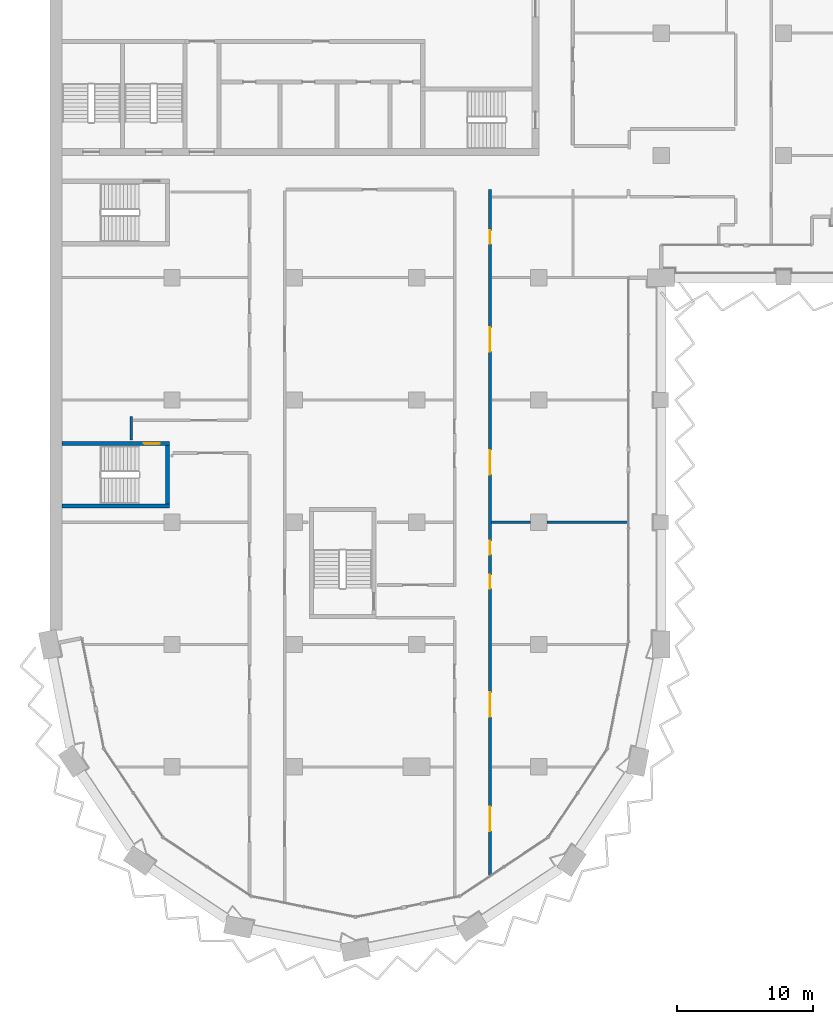
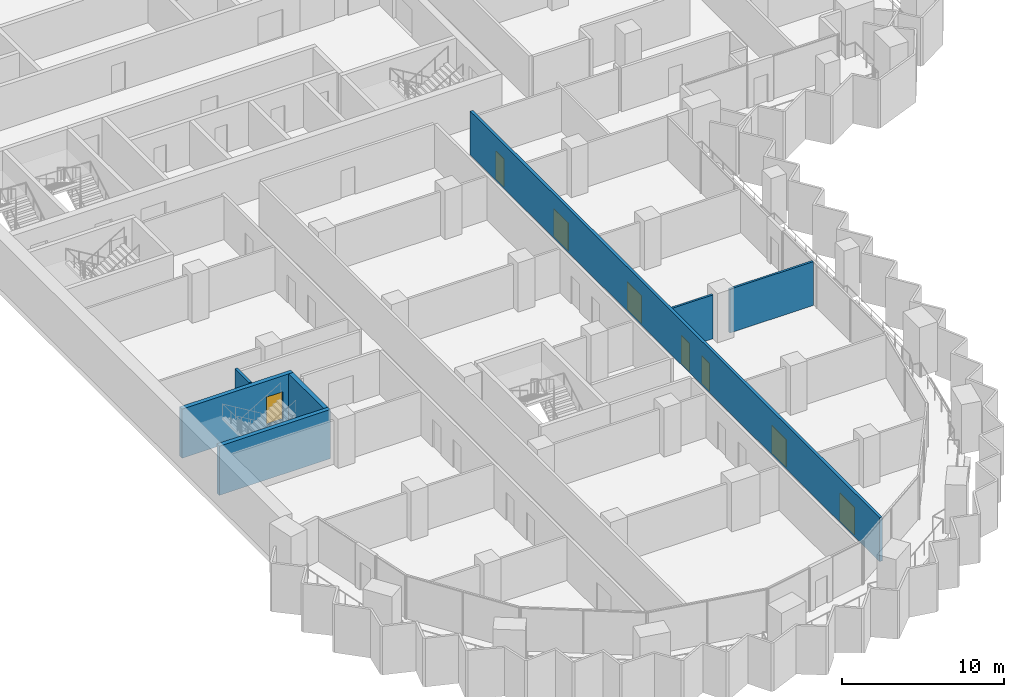
# One storey, part 9 of 22: 8 doors, 7 walls, 8 openings.
"""IFC4 building model written with IfcOpenShell, lengths in metres."""

import ifcopenshell
import ifcopenshell.guid

model = None  # the IFC model being written
_history = None  # IfcOwnerHistory: only IFC2X3 demands one
_inside = {}  # id of a spatial element -> (the spatial element, [elements in it])
_under = {}  # id of a project, library or spatial element -> (it, [spatial elements below it])
_declared = {}  # id of a project -> (the project, [libraries it declares])
_typed = {}  # id of a type object -> (the type object, [elements of that type])
_made_of = {}  # id of a material, layer set ... -> (it, [elements and type objects made of it])


def new_model(schema):
    """Start an empty IFC model of exactly this schema.

    Asked for "IFC4X3", IfcOpenShell would pick the latest addendum, in which some entities
    have other attributes; the version numbers below select the first issue.
    IFC2X3 requires an IfcOwnerHistory on every rooted entity: one is made here for all.
    """
    global model, _history
    if schema == "IFC4X3":
        model = ifcopenshell.file(schema_version=(4, 3, 0, 0))
    else:
        model = ifcopenshell.file(schema=schema)
    _inside.clear()
    _under.clear()
    _declared.clear()
    _typed.clear()
    _made_of.clear()
    _history = None
    if model.schema == "IFC2X3":
        org = make("IfcOrganization", Name="unknown")
        user = make(
            "IfcPersonAndOrganization",
            ThePerson=make("IfcPerson", FamilyName="unknown"),
            TheOrganization=org,
        )
        app = make(
            "IfcApplication",
            ApplicationDeveloper=org,
            Version="unknown",
            ApplicationFullName="unknown",
            ApplicationIdentifier="unknown",
        )
        _history = make(
            "IfcOwnerHistory",
            OwningUser=user,
            OwningApplication=app,
            ChangeAction="ADDED",
            CreationDate=0,
        )
    return model


def make(cls, **values):
    """One entity of the class cls with the attributes given. An attribute that is None is left unset."""
    return model.create_entity(
        cls, **{name: value for name, value in values.items() if value is not None}
    )


def rooted(cls, **values):
    """An entity with a GlobalId (a new one), such as an element, a storey or a relation."""
    return make(cls, GlobalId=ifcopenshell.guid.new(), OwnerHistory=_history, **values)


def si_unit(unit_type, name, prefix=None):
    """IfcSIUnit, for example si_unit("LENGTHUNIT", "METRE", prefix="MILLI")."""
    return make("IfcSIUnit", UnitType=unit_type, Prefix=prefix, Name=name)


def assignment(units):
    """IfcUnitAssignment: the units of a project."""
    return None if units is None else make("IfcUnitAssignment", Units=units)


def point(xyz):
    """IfcCartesianPoint."""
    return None if xyz is None else make("IfcCartesianPoint", Coordinates=xyz)


def direction(xyz):
    """IfcDirection."""
    return None if xyz is None else make("IfcDirection", DirectionRatios=xyz)


def frame(location, z_axis=None, x_axis=None):
    """IfcAxis2Placement3D, a coordinate frame: its origin and axes. An axis left out is left unset."""
    return make(
        "IfcAxis2Placement3D",
        Location=point(location),
        Axis=direction(z_axis),
        RefDirection=direction(x_axis),
    )


def frame_2d(location, x_axis=None):
    """IfcAxis2Placement2D, a coordinate frame in the plane: its origin and x axis."""
    return make(
        "IfcAxis2Placement2D", Location=point(location), RefDirection=direction(x_axis)
    )


def origin():
    """The frame at (0, 0, 0) with its axes left unset."""
    return frame((0.0, 0.0, 0.0))


def place(relative_to, where):
    """IfcLocalPlacement: puts the frame where relative to a parent placement (None: the world)."""
    return make(
        "IfcLocalPlacement", PlacementRelTo=relative_to, RelativePlacement=where
    )


def context(
    kind, dimensions, precision=None, world=None, true_north=None, identifier=None
):
    """IfcGeometricRepresentationContext, for example the 3D "Model" context."""
    return make(
        "IfcGeometricRepresentationContext",
        ContextIdentifier=identifier,
        ContextType=kind,
        CoordinateSpaceDimension=dimensions,
        Precision=precision,
        WorldCoordinateSystem=world,
        TrueNorth=true_north,
    )


def subcontext(parent, identifier, kind, view, scale=None):
    """IfcGeometricRepresentationSubContext, for example "Body" below "Model"."""
    return make(
        "IfcGeometricRepresentationSubContext",
        ContextIdentifier=identifier,
        ContextType=kind,
        ParentContext=parent,
        TargetScale=scale,
        TargetView=view,
    )


def project(units=None, contexts=None):
    """IfcProject with its units and contexts."""
    return rooted(
        "IfcProject",
        Name="project",
        RepresentationContexts=contexts,
        UnitsInContext=assignment(units),
    )


def spatial(cls, under=None, at=None, **own):
    """A site, building, storey or space (cls), placed at a placement, below another one or the project."""
    s = rooted(cls, ObjectPlacement=at, **own)
    if under is not None:
        _under.setdefault(under.id(), (under, []))[1].append(s)
    return s


def profile(cls, at=None, kind="AREA", **sizes):
    """A parametric profile (cls). Its sizes go by their IFC names, for example OverallWidth=200.0."""
    return make(cls, ProfileType=kind, Position=at, **sizes)


def rectangle(**sizes):
    """IfcRectangleProfileDef."""
    return profile("IfcRectangleProfileDef", **sizes)


def extrude(swept, where, along, depth):
    """IfcExtrudedAreaSolid: the profile swept, set in the frame where, extruded along a direction by depth."""
    return make(
        "IfcExtrudedAreaSolid",
        SweptArea=swept,
        Position=where,
        ExtrudedDirection=direction(along),
        Depth=depth,
    )


def shape(context_of_items, identifier, shape_type, items):
    """IfcShapeRepresentation: the items that make up one representation, for example the "Body"."""
    return make(
        "IfcShapeRepresentation",
        ContextOfItems=context_of_items,
        RepresentationIdentifier=identifier,
        RepresentationType=shape_type,
        Items=items,
    )


def material(Name=None, Category=None):
    """IfcMaterial."""
    return make("IfcMaterial", Name=Name, Category=Category)


def layer(
    of_material, thickness, ventilated=None, Name=None, Category=None, Priority=None
):
    """IfcMaterialLayer: one layer of a wall or slab, of a material (None: an air gap)."""
    return make(
        "IfcMaterialLayer",
        Material=of_material,
        LayerThickness=thickness,
        IsVentilated=ventilated,
        Name=Name,
        Category=Category,
        Priority=Priority,
    )


def layer_set(layers, Name=None):
    """IfcMaterialLayerSet."""
    return make("IfcMaterialLayerSet", MaterialLayers=layers, LayerSetName=Name)


def made_of(thing, what):
    """Note that an element or type object is made of a material, layer set ...; save() writes the relation."""
    if what is not None:
        _made_of.setdefault(what.id(), (what, []))[1].append(thing)
    return thing


def type_object(cls, material=None, **own):
    """A type object (cls), such as IfcWallType, which elements share."""
    return made_of(rooted(cls, **own), material)


def element(
    cls,
    number,
    at=None,
    inside=None,
    cuts=None,
    type_object=None,
    material=None,
    context=None,
    identifier="Body",
    shape_type=None,
    held_by="IfcProductDefinitionShape",
    body=None,
    shapes=None,
    **own,
):
    """One element of the class cls, such as IfcWall. Its Tag is "e" and its number.

    at: its placement. inside: the storey or other place that contains it. cuts: it is an
    opening in that element (IfcRelVoidsElement). A single representation is given by context,
    identifier, shape_type and body (its items); several are given by shapes. held_by: the class
    of the entity that holds the representations. save() writes the other relations.
    """
    e = rooted(cls, Tag="e%d" % number, ObjectPlacement=at, **own)
    if body is not None:
        shapes = [shape(context, identifier, shape_type, body)]
    if shapes is not None:
        e.Representation = make(held_by, Representations=shapes)
    if inside is not None:
        _inside.setdefault(inside.id(), (inside, []))[1].append(e)
    if cuts is not None:
        rooted(
            "IfcRelVoidsElement", RelatingBuildingElement=cuts, RelatedOpeningElement=e
        )
    if type_object is not None:
        _typed.setdefault(type_object.id(), (type_object, []))[1].append(e)
    return made_of(e, material)


def fill(opening, filler):
    """IfcRelFillsElement: the door or window that sits in an opening."""
    return rooted(
        "IfcRelFillsElement",
        RelatingOpeningElement=opening,
        RelatedBuildingElement=filler,
    )


def aggregate(whole, parts):
    """IfcRelAggregates: a whole, such as a stair, and the parts it consists of."""
    return rooted("IfcRelAggregates", RelatingObject=whole, RelatedObjects=parts)


def save(model, path):
    """Write the relations noted so far, then the file.

    IfcRelAggregates (storeys below a building ...), IfcRelContainedInSpatialStructure (elements
    in a storey), IfcRelDefinesByType, IfcRelAssociatesMaterial and IfcRelDeclares: one each for
    every whole, place, type object, material and project.
    """
    for whole, parts in _under.values():
        aggregate(whole, parts)
    for where, things in _inside.values():
        rooted(
            "IfcRelContainedInSpatialStructure",
            RelatedElements=things,
            RelatingStructure=where,
        )
    for kind, things in _typed.values():
        rooted("IfcRelDefinesByType", RelatedObjects=things, RelatingType=kind)
    for what, things in _made_of.values():
        rooted("IfcRelAssociatesMaterial", RelatedObjects=things, RelatingMaterial=what)
    for by, libraries in _declared.values():
        rooted("IfcRelDeclares", RelatingContext=by, RelatedDefinitions=libraries)
    model.write(path)


model = new_model("IFC4")

# Units and contexts
model_context = context("Model", 3, precision=1e-05, world=origin(), true_north=direction((0.0, 1.0)))
body_context = subcontext(model_context, "Body", "Model", "MODEL_VIEW")
ifc_project = project(units=[si_unit("LENGTHUNIT", "METRE"), si_unit("AREAUNIT", "SQUARE_METRE"), si_unit("VOLUMEUNIT", "CUBIC_METRE"), si_unit("PLANEANGLEUNIT", "RADIAN"), si_unit("MASSUNIT", "GRAM", prefix="KILO")], contexts=[model_context])

# Site, building, storey
site_placement = place(None, origin())
site = spatial("IfcSite", under=ifc_project, at=site_placement, CompositionType="ELEMENT")
building_placement = place(site_placement, origin())
building = spatial("IfcBuilding", under=site, at=building_placement, Name="Hunhe Ridgeline Campus", CompositionType="ELEMENT")
storey_placement = place(building_placement, frame((0.0, 0.0, 156.0)))
storey = spatial("IfcBuildingStorey", under=building, at=storey_placement, Name="L39", CompositionType="ELEMENT", Elevation=156.0)

# Wall
ifc_material_1 = material(Name="Gypsum board partition")
ifc_layer_1 = layer(ifc_material_1, 0.199951171875)
ifc_layer_set_1 = layer_set([ifc_layer_1], Name="Corridor partition 200 gypsum board on steel studs")
wall_type_1 = type_object("IfcWallType", Name="Corridor partition 200 gypsum board on steel studs", PredefinedType="PARTITIONING", material=ifc_layer_set_1)
wall_1_placement = place(storey_placement, frame((6.0, 42.053955078125, 0.0), z_axis=(0.0, 0.0, 1.0), x_axis=(0.0, 1.0, 0.0)))
element("IfcWall", 1, at=wall_1_placement, inside=storey, type_object=wall_type_1, Name="F-L39-wall-055", PredefinedType="PARTITIONING", context=body_context, shape_type="SweptSolid", body=[
    extrude(rectangle(XDim=1.74609375, YDim=0.199951171875, at=frame_2d((0.873046875, 0.0))), origin(), (0.0, 0.0, 1.0), 3.300048828125),
])

# Wall, openings, doors
wall_2_placement = place(storey_placement, frame((32.39990234375, 60.5, 0.0), z_axis=(0.0, 0.0, 1.0), x_axis=(0.0, -1.0, 0.0)))
wall_2 = element("IfcWall", 2, at=wall_2_placement, inside=storey, type_object=wall_type_1, Name="F-L39-wall-062", PredefinedType="PARTITIONING", context=body_context, shape_type="SweptSolid", body=[
    extrude(rectangle(XDim=50.472900390625, YDim=0.199951171875, at=frame_2d((25.236328125, 0.0))), origin(), (0.0, 0.0, 1.0), 3.300048828125),
])
opening_1_placement = place(wall_2_placement, frame((45.4296875, 0.0, 0.0)))
opening_1 = element("IfcOpeningElement", 3, at=opening_1_placement, cuts=wall_2, Name="Opening RD2-003", PredefinedType="OPENING", context=body_context, shape_type="SweptSolid", body=[
    extrude(rectangle(XDim=1.800048828125, YDim=2.10009765625, at=frame_2d((0.89990234375, 1.050048828125))), frame((0.0, 0.10009765625, 0.0), z_axis=(0.0, -1.0, 0.0), x_axis=(1.0, 0.0, 0.0)), (0.0, 0.0, 1.0), 0.199951171875),
])
opening_2_placement = place(wall_2_placement, frame((37.017578125, 0.0, 0.0)))
opening_2 = element("IfcOpeningElement", 4, at=opening_2_placement, cuts=wall_2, Name="Opening RD2-006", PredefinedType="OPENING", context=body_context, shape_type="SweptSolid", body=[
    extrude(rectangle(XDim=1.800048828125, YDim=2.10009765625, at=frame_2d((0.89990234375, 1.050048828125))), frame((0.0, 0.10009765625, 0.0), z_axis=(0.0, -1.0, 0.0), x_axis=(1.0, 0.0, 0.0)), (0.0, 0.0, 1.0), 0.199951171875),
])
opening_3_placement = place(wall_2_placement, frame((28.377685546875, 0.0, 0.0)))
opening_3 = element("IfcOpeningElement", 5, at=opening_3_placement, cuts=wall_2, Name="Opening RD1-012", PredefinedType="OPENING", context=body_context, shape_type="SweptSolid", body=[
    extrude(rectangle(XDim=1.0, YDim=2.10009765625, at=frame_2d((0.5, 1.050048828125))), frame((0.0, 0.10009765625, 0.0), z_axis=(0.0, -1.0, 0.0), x_axis=(1.0, 0.0, 0.0)), (0.0, 0.0, 1.0), 0.199951171875),
])
opening_4_placement = place(wall_2_placement, frame((25.877685546875, 0.0, 0.0)))
opening_4 = element("IfcOpeningElement", 6, at=opening_4_placement, cuts=wall_2, Name="Opening RD1-014", PredefinedType="OPENING", context=body_context, shape_type="SweptSolid", body=[
    extrude(rectangle(XDim=1.0, YDim=2.10009765625, at=frame_2d((0.5, 1.050048828125))), frame((0.0, 0.10009765625, 0.0), z_axis=(0.0, -1.0, 0.0), x_axis=(1.0, 0.0, 0.0)), (0.0, 0.0, 1.0), 0.199951171875),
])
opening_5_placement = place(wall_2_placement, frame((19.188720703125, 0.0, 0.0)))
opening_5 = element("IfcOpeningElement", 7, at=opening_5_placement, cuts=wall_2, Name="Opening RD2-015", PredefinedType="OPENING", context=body_context, shape_type="SweptSolid", body=[
    extrude(rectangle(XDim=1.800048828125, YDim=2.10009765625, at=frame_2d((0.89990234375, 1.050048828125))), frame((0.0, 0.10009765625, 0.0), z_axis=(0.0, -1.0, 0.0), x_axis=(1.0, 0.0, 0.0)), (0.0, 0.0, 1.0), 0.199951171875),
])
opening_6_placement = place(wall_2_placement, frame((10.148681640625, 0.0, 0.0)))
opening_6 = element("IfcOpeningElement", 8, at=opening_6_placement, cuts=wall_2, Name="Opening RD2-022", PredefinedType="OPENING", context=body_context, shape_type="SweptSolid", body=[
    extrude(rectangle(XDim=1.800048828125, YDim=2.10009765625, at=frame_2d((0.89990234375, 1.050048828125))), frame((0.0, 0.10009765625, 0.0), z_axis=(0.0, -1.0, 0.0), x_axis=(1.0, 0.0, 0.0)), (0.0, 0.0, 1.0), 0.199951171875),
])
opening_7_placement = place(wall_2_placement, frame((3.015380859375, 0.0, 0.0)))
opening_7 = element("IfcOpeningElement", 9, at=opening_7_placement, cuts=wall_2, Name="Opening RD1-024", PredefinedType="OPENING", context=body_context, shape_type="SweptSolid", body=[
    extrude(rectangle(XDim=1.0, YDim=2.10009765625, at=frame_2d((0.5, 1.050048828125))), frame((0.0, 0.10009765625, 0.0), z_axis=(0.0, -1.0, 0.0), x_axis=(1.0, 0.0, 0.0)), (0.0, 0.0, 1.0), 0.199951171875),
])
ifc_material_2 = material(Name="Timber door leaf", Category="wood")
door_type_1 = type_object("IfcDoorType", Name="Double fire door 1800x2100 timber FD60", OperationType="DOUBLE_DOOR_SINGLE_SWING", PredefinedType="DOOR", material=ifc_material_2)
door_1_placement = place(opening_1_placement, origin())
door_1 = element("IfcDoor", 10, at=door_1_placement, inside=storey, type_object=door_type_1, Name="F-L39-door-003", OperationType="DOUBLE_DOOR_SINGLE_SWING", OverallHeight=2.10009765625, OverallWidth=1.800048828125, PredefinedType="DOOR", context=body_context, shape_type="SweptSolid", body=[
    extrude(rectangle(XDim=1.800048828125, YDim=2.10009765625, at=frame_2d((0.89990234375, 1.050048828125))), frame((0.0, 0.02490234375, 0.0), z_axis=(0.0, -1.0, 0.0), x_axis=(1.0, 0.0, 0.0)), (0.0, 0.0, 1.0), 0.050048828125),
])
fill(opening_1, door_1)
door_2_placement = place(opening_2_placement, origin())
door_2 = element("IfcDoor", 11, at=door_2_placement, inside=storey, type_object=door_type_1, Name="F-L39-door-006", OperationType="DOUBLE_DOOR_SINGLE_SWING", OverallHeight=2.10009765625, OverallWidth=1.800048828125, PredefinedType="DOOR", context=body_context, shape_type="SweptSolid", body=[
    extrude(rectangle(XDim=1.800048828125, YDim=2.10009765625, at=frame_2d((0.89990234375, 1.050048828125))), frame((0.0, 0.02490234375, 0.0), z_axis=(0.0, -1.0, 0.0), x_axis=(1.0, 0.0, 0.0)), (0.0, 0.0, 1.0), 0.050048828125),
])
fill(opening_2, door_2)
door_3_placement = place(opening_5_placement, origin())
door_3 = element("IfcDoor", 12, at=door_3_placement, inside=storey, type_object=door_type_1, Name="F-L39-door-015", OperationType="DOUBLE_DOOR_SINGLE_SWING", OverallHeight=2.10009765625, OverallWidth=1.800048828125, PredefinedType="DOOR", context=body_context, shape_type="SweptSolid", body=[
    extrude(rectangle(XDim=1.800048828125, YDim=2.10009765625, at=frame_2d((0.89990234375, 1.050048828125))), frame((0.0, 0.02490234375, 0.0), z_axis=(0.0, -1.0, 0.0), x_axis=(1.0, 0.0, 0.0)), (0.0, 0.0, 1.0), 0.050048828125),
])
fill(opening_5, door_3)
door_4_placement = place(opening_6_placement, origin())
door_4 = element("IfcDoor", 13, at=door_4_placement, inside=storey, type_object=door_type_1, Name="F-L39-door-022", OperationType="DOUBLE_DOOR_SINGLE_SWING", OverallHeight=2.10009765625, OverallWidth=1.800048828125, PredefinedType="DOOR", context=body_context, shape_type="SweptSolid", body=[
    extrude(rectangle(XDim=1.800048828125, YDim=2.10009765625, at=frame_2d((0.89990234375, 1.050048828125))), frame((0.0, 0.02490234375, 0.0), z_axis=(0.0, -1.0, 0.0), x_axis=(1.0, 0.0, 0.0)), (0.0, 0.0, 1.0), 0.050048828125),
])
fill(opening_6, door_4)
door_type_2 = type_object("IfcDoorType", Name="Single fire door 1000x2100 timber FD60", OperationType="NOTDEFINED", PredefinedType="DOOR", material=ifc_material_2)
door_5_placement = place(opening_3_placement, frame((1.0, 0.0, 0.0), z_axis=(0.0, 0.0, 1.0), x_axis=(-1.0, 0.0, 0.0)))
door_5 = element("IfcDoor", 14, at=door_5_placement, inside=storey, type_object=door_type_2, Name="F-L39-door-012", OperationType="SINGLE_SWING_RIGHT", OverallHeight=2.10009765625, OverallWidth=1.0, PredefinedType="DOOR", context=body_context, shape_type="SweptSolid", body=[
    extrude(rectangle(XDim=1.0, YDim=2.10009765625, at=frame_2d((0.5, 1.050048828125))), frame((0.0, 0.02490234375, 0.0), z_axis=(0.0, -1.0, 0.0), x_axis=(1.0, 0.0, 0.0)), (0.0, 0.0, 1.0), 0.050048828125),
])
fill(opening_3, door_5)
door_6_placement = place(opening_4_placement, frame((1.0, 0.0, 0.0), z_axis=(0.0, 0.0, 1.0), x_axis=(-1.0, 0.0, 0.0)))
door_6 = element("IfcDoor", 15, at=door_6_placement, inside=storey, type_object=door_type_2, Name="F-L39-door-014", OperationType="SINGLE_SWING_RIGHT", OverallHeight=2.10009765625, OverallWidth=1.0, PredefinedType="DOOR", context=body_context, shape_type="SweptSolid", body=[
    extrude(rectangle(XDim=1.0, YDim=2.10009765625, at=frame_2d((0.5, 1.050048828125))), frame((0.0, 0.02490234375, 0.0), z_axis=(0.0, -1.0, 0.0), x_axis=(1.0, 0.0, 0.0)), (0.0, 0.0, 1.0), 0.050048828125),
])
fill(opening_4, door_6)
door_7_placement = place(opening_7_placement, origin())
door_7 = element("IfcDoor", 16, at=door_7_placement, inside=storey, type_object=door_type_2, Name="F-L39-door-024", OperationType="SINGLE_SWING_LEFT", OverallHeight=2.10009765625, OverallWidth=1.0, PredefinedType="DOOR", context=body_context, shape_type="SweptSolid", body=[
    extrude(rectangle(XDim=1.0, YDim=2.10009765625, at=frame_2d((0.5, 1.050048828125))), frame((0.0, 0.02490234375, 0.0), z_axis=(0.0, -1.0, 0.0), x_axis=(1.0, 0.0, 0.0)), (0.0, 0.0, 1.0), 0.050048828125),
])
fill(opening_7, door_7)

# Walls
ifc_layer_2 = layer(ifc_material_1, 0.14990234375)
ifc_layer_set_2 = layer_set([ifc_layer_2], Name="Room partition 150 gypsum board on steel studs")
wall_type_2 = type_object("IfcWallType", Name="Room partition 150 gypsum board on steel studs", PredefinedType="PARTITIONING", material=ifc_layer_set_2)
wall_3_placement = place(storey_placement, frame((32.5, 36.0, 0.0), z_axis=(0.0, 0.0, 1.0), x_axis=(1.0, 0.0, 0.0)))
element("IfcWall", 17, at=wall_3_placement, inside=storey, type_object=wall_type_2, Name="F-L39-wall-020", PredefinedType="PARTITIONING", context=body_context, shape_type="SweptSolid", body=[
    extrude(rectangle(XDim=2.89990234375, YDim=0.14990234375, at=frame_2d((1.449951171875, 0.0))), origin(), (0.0, 0.0, 1.0), 3.300048828125),
])
wall_4_placement = place(storey_placement, frame((36.60009765625, 36.0, 0.0), z_axis=(0.0, 0.0, 1.0), x_axis=(1.0, 0.0, 0.0)))
element("IfcWall", 18, at=wall_4_placement, inside=storey, type_object=wall_type_2, Name="F-L39-wall-021", PredefinedType="PARTITIONING", context=body_context, shape_type="SweptSolid", body=[
    extrude(rectangle(XDim=5.94482421875, YDim=0.14990234375, at=frame_2d((2.972412109375, 0.0))), origin(), (0.0, 0.0, 1.0), 3.300048828125),
])
ifc_material_3 = material(Name="Concrete C70", Category="concrete")
ifc_layer_3 = layer(ifc_material_3, 0.300048828125)
ifc_layer_set_3 = layer_set([ifc_layer_3], Name="Stair wall 300 reinforced concrete C70")
wall_type_3 = type_object("IfcWallType", Name="Stair wall 300 reinforced concrete C70", PredefinedType="SOLIDWALL", material=ifc_layer_set_3)
wall_5_placement = place(storey_placement, frame((0.89990234375, 37.199951171875, -0.39990234375), z_axis=(0.0, 0.0, 1.0), x_axis=(1.0, 0.0, 0.0)))
element("IfcWall", 19, at=wall_5_placement, inside=storey, type_object=wall_type_3, Name="L39 core wall 3", PredefinedType="SOLIDWALL", context=body_context, shape_type="SweptSolid", body=[
    extrude(rectangle(XDim=7.900146484375, YDim=0.300048828125, at=frame_2d((3.9501953125, 0.0))), origin(), (0.0, 0.0, 1.0), 3.699951171875),
])

# Wall, opening, door
wall_6_placement = place(storey_placement, frame((0.89990234375, 41.800048828125, -0.39990234375), z_axis=(0.0, 0.0, 1.0), x_axis=(1.0, 0.0, 0.0)))
wall_6 = element("IfcWall", 20, at=wall_6_placement, inside=storey, type_object=wall_type_3, Name="L39 core wall 4", PredefinedType="SOLIDWALL", context=body_context, shape_type="SweptSolid", body=[
    extrude(rectangle(XDim=7.900146484375, YDim=0.300048828125, at=frame_2d((3.9501953125, 0.0))), origin(), (0.0, 0.0, 1.0), 3.699951171875),
])
opening_8_placement = place(wall_6_placement, frame((6.0, 0.0, 0.39990234375)))
opening_8 = element("IfcOpeningElement", 21, at=opening_8_placement, cuts=wall_6, Name="Opening CD21", PredefinedType="OPENING", context=body_context, shape_type="SweptSolid", body=[
    extrude(rectangle(XDim=1.199951171875, YDim=2.10009765625, at=frame_2d((0.60009765625, 1.050048828125))), frame((0.0, 0.14990234375, 0.0), z_axis=(0.0, -1.0, 0.0), x_axis=(1.0, 0.0, 0.0)), (0.0, 0.0, 1.0), 0.300048828125),
])
ifc_material_4 = material(Name="Hollow metal fire door leaf")
door_type_3 = type_object("IfcDoorType", Name="Stair door 1200x2100 FD60", OperationType="SINGLE_SWING_LEFT", PredefinedType="DOOR", material=ifc_material_4)
door_8_placement = place(opening_8_placement, origin())
door_8 = element("IfcDoor", 22, at=door_8_placement, inside=storey, type_object=door_type_3, Name="L39 door W1", OperationType="SINGLE_SWING_LEFT", OverallHeight=2.10009765625, OverallWidth=1.199951171875, PredefinedType="DOOR", context=body_context, shape_type="SweptSolid", body=[
    extrude(rectangle(XDim=1.199951171875, YDim=2.10009765625, at=frame_2d((0.60009765625, 1.050048828125))), frame((0.0, 0.02490234375, 0.0), z_axis=(0.0, -1.0, 0.0), x_axis=(1.0, 0.0, 0.0)), (0.0, 0.0, 1.0), 0.050048828125),
])
fill(opening_8, door_8)

# Wall
wall_7_placement = place(storey_placement, frame((8.64990234375, 37.35009765625, -0.39990234375), z_axis=(0.0, 0.0, 1.0), x_axis=(0.0, 1.0, 0.0)))
element("IfcWall", 23, at=wall_7_placement, inside=storey, type_object=wall_type_3, Name="L39 core wall 36", PredefinedType="SOLIDWALL", context=body_context, shape_type="SweptSolid", body=[
    extrude(rectangle(XDim=4.2998046875, YDim=0.300048828125, at=frame_2d((2.14990234375, 0.0))), origin(), (0.0, 0.0, 1.0), 3.699951171875),
])

save(model, "model.ifc")
